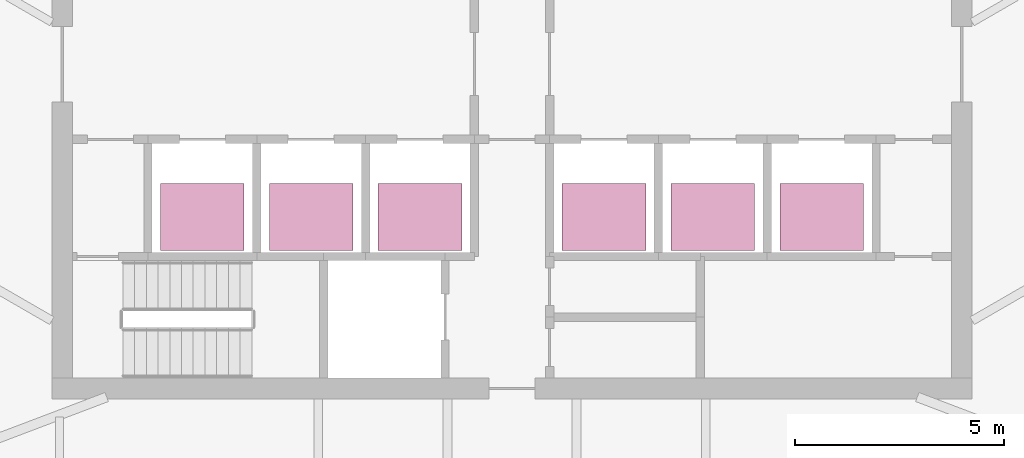
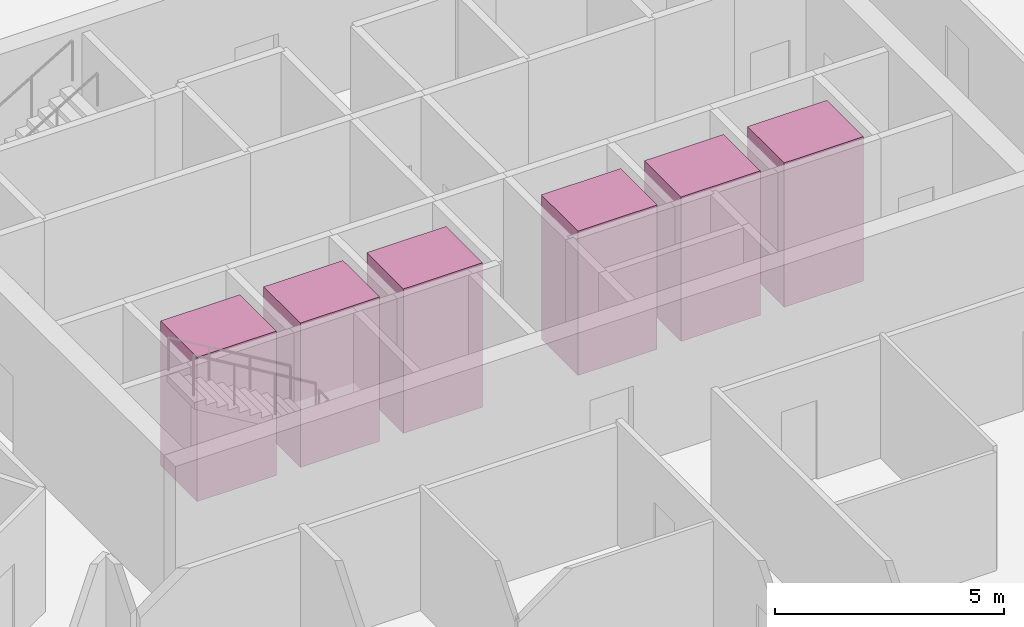
# One storey, part 18 of 18: 6 transport elements.
"""IFC4 building model written with IfcOpenShell, lengths in metres."""

from ifc_helpers import new_model, si_unit, direction, frame, origin, origin_2d, place, context, subcontext, project, spatial, rectangle, extrude, material, type_object, element, save


model = new_model("IFC4")

# Units and contexts
model_context = context("Model", 3, precision=1e-05, world=origin(), true_north=direction((0.0, 1.0)))
body_context = subcontext(model_context, "Body", "Model", "MODEL_VIEW")
ifc_project = project(units=[si_unit("LENGTHUNIT", "METRE"), si_unit("AREAUNIT", "SQUARE_METRE"), si_unit("VOLUMEUNIT", "CUBIC_METRE"), si_unit("PLANEANGLEUNIT", "RADIAN"), si_unit("MASSUNIT", "GRAM", prefix="KILO")], contexts=[model_context])

# Site, building, storey
site_placement = place(None, origin())
site = spatial("IfcSite", under=ifc_project, at=site_placement, CompositionType="ELEMENT")
building_placement = place(site_placement, origin())
building = spatial("IfcBuilding", under=site, at=building_placement, Name="Sierra Prisma Convention Tower", CompositionType="ELEMENT")
storey_placement = place(building_placement, frame((0.0, 0.0, 255.0)))
storey = spatial("IfcBuildingStorey", under=building, at=storey_placement, Name="L57", CompositionType="ELEMENT", Elevation=255.0)

# Transport elements
ifc_material = material(Name="Stainless steel", Category="steel")
transport_element_type = type_object("IfcTransportElementType", Name="Lift car office high 2000x1600 1600 kg", PredefinedType="ELEVATOR", material=ifc_material)
for number, where, z_axis, x_axis, name in (
    (1, (-7.39990234375, -3.64990234375, 0.0), (0.0, 0.0, 1.0), (1.0, 0.0, 0.0), "Lift OH1"),
    (2, (-4.800048828125, -3.64990234375, 0.0), (0.0, 0.0, 1.0), (1.0, 0.0, 0.0), "Lift OH2"),
    (3, (-2.199951171875, -3.64990234375, 0.0), (0.0, 0.0, 1.0), (1.0, 0.0, 0.0), "Lift OH3"),
    (4, (2.199951171875, -3.64990234375, 0.0), (0.0, 0.0, 1.0), (1.0, 0.0, 0.0), "Lift OH4"),
    (5, (4.800048828125, -3.64990234375, 0.0), (0.0, 0.0, 1.0), (1.0, 0.0, 0.0), "Lift OH5"),
    (6, (7.39990234375, -3.64990234375, 0.0), (0.0, 0.0, 1.0), (1.0, 0.0, 0.0), "Lift OH6"),
):
    element("IfcTransportElement", number, at=place(storey_placement, frame(where, z_axis=z_axis, x_axis=x_axis)), inside=storey, type_object=transport_element_type, Name=name, PredefinedType="ELEVATOR", context=body_context, shape_type="SweptSolid", body=[
        extrude(rectangle(XDim=2.0, YDim=1.60009765625, at=origin_2d()), origin(), (0.0, 0.0, 1.0), 3.85009765625),
    ])

save(model, "model.ifc")
